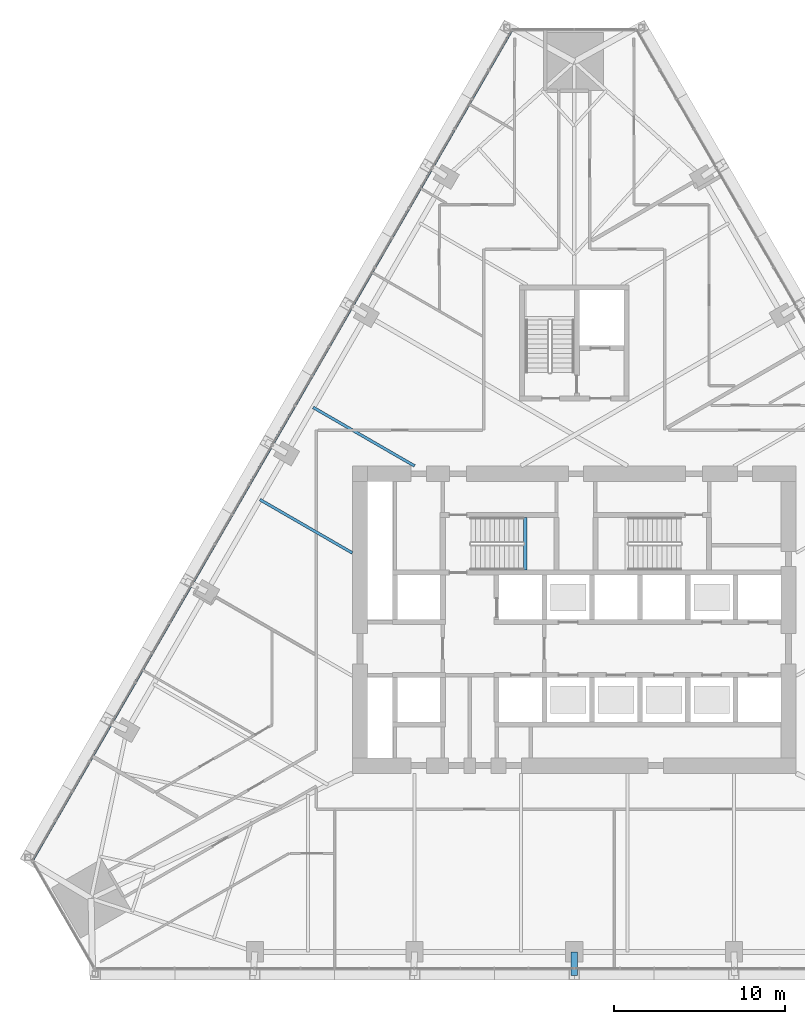
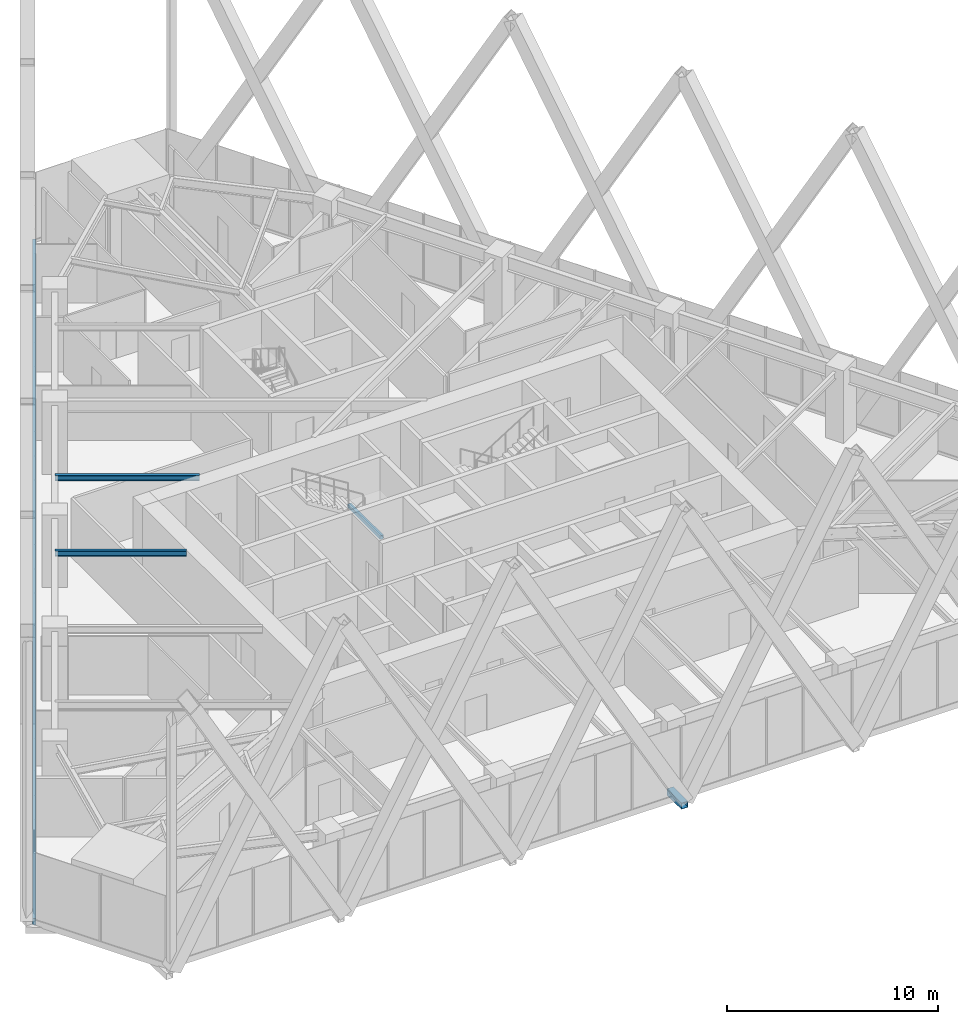
# One storey, part 4 of 21: 3 beams, 2 members, 1 element without a shape of its own.
"""IFC4 building model written with IfcOpenShell, lengths in metres."""

from ifc_helpers import new_model, si_unit, direction, frame, origin, origin_2d, place, context, subcontext, project, spatial, rectangle, hollow_rectangle, i_section, extrude, material, layer, layer_set, material_profile, profile_set, type_object, element, aggregate, save


model = new_model("IFC4")

# Units and contexts
model_context = context("Model", 3, precision=1e-05, world=origin(), true_north=direction((0.0, 1.0)))
body_context = subcontext(model_context, "Body", "Model", "MODEL_VIEW")
ifc_project = project(units=[si_unit("LENGTHUNIT", "METRE"), si_unit("AREAUNIT", "SQUARE_METRE"), si_unit("VOLUMEUNIT", "CUBIC_METRE"), si_unit("PLANEANGLEUNIT", "RADIAN"), si_unit("MASSUNIT", "GRAM", prefix="KILO")], contexts=[model_context])

# Site, building, storey
site_placement = place(None, origin())
site = spatial("IfcSite", under=ifc_project, at=site_placement, CompositionType="ELEMENT")
building_placement = place(site_placement, origin())
building = spatial("IfcBuilding", under=site, at=building_placement, Name="Firuza Gate Tower and Library", CompositionType="ELEMENT")
storey_placement = place(building_placement, frame((0.0, 0.0, 107.199951171875)))
storey = spatial("IfcBuildingStorey", under=building, at=storey_placement, Name="L24", CompositionType="ELEMENT", Elevation=107.199951171875)

# Curtain wall, member
ifc_material_1 = material(Name="Aluminium 6063-T6", Category="aluminium")
ifc_layer = layer(ifc_material_1, 0.14990234375)
ifc_layer_set = layer_set([ifc_layer], Name="Unitised curtain wall, offices")
curtain_wall_type = type_object("IfcCurtainWallType", Name="Unitised curtain wall, offices", PredefinedType="NOTDEFINED", material=ifc_layer_set)
curtain_wall_placement = place(storey_placement, origin())
curtain_wall = element("IfcCurtainWall", 1, at=curtain_wall_placement, inside=storey, type_object=curtain_wall_type, Name="CW1 L24 W face", PredefinedType="NOTDEFINED")
ifc_material_2 = material(Name="Aluminium 6063-T6", Category="aluminium")
ifc_material_profile_1 = material_profile(ifc_material_2, rectangle(XDim=0.14990234375, YDim=0.35009765625, at=origin_2d()))
ifc_profile_set_1 = profile_set([ifc_material_profile_1], Name="Aluminium 6063-T6")
member_type_1 = type_object("IfcMemberType", Name="Curtain wall transom 350x150", PredefinedType="USERDEFINED", material=ifc_profile_set_1)
member_1_placement = place(storey_placement, frame((71.356689453125, 109.557373046875, -0.02490234375), z_axis=(-0.500000287872, -0.866025237581, 0.0), x_axis=(0.866025237581, -0.500000287872, 0.0)))
member_1 = element("IfcMember", 2, at=member_1_placement, type_object=member_type_1, Name="Transom", ObjectType="TRANSOM", PredefinedType="USERDEFINED", context=body_context, shape_type="SweptSolid", body=[
    extrude(rectangle(XDim=0.14990234375, YDim=0.35009765625, at=origin_2d()), origin(), (0.0, 0.0, 1.0), 56.2119140625),
])
aggregate(curtain_wall, [member_1])

# Member
ifc_material_3 = material(Name="Steel S355", Category="steel")
ifc_material_profile_2 = material_profile(ifc_material_3, hollow_rectangle(XDim=0.355712890625, YDim=0.355712890625, WallThickness=0.014892578125, at=origin_2d()))
ifc_profile_set_2 = profile_set([ifc_material_profile_2], Name="Steel S355")
member_type_2 = type_object("IfcMemberType", Name="HSS356x356x16 Lattice node tie", PredefinedType="BRACE", material=ifc_profile_set_2)
member_2_placement = place(storey_placement, frame((75.0, 55.541015625, -0.320068359375), z_axis=(0.0, -1.0, 0.0), x_axis=(1.0, 0.0, 0.0)))
element("IfcMember", 3, at=member_2_placement, inside=storey, type_object=member_type_2, Name="Lattice node tie S L24 95", PredefinedType="BRACE", context=body_context, shape_type="SweptSolid", body=[
    extrude(hollow_rectangle(XDim=0.355712890625, YDim=0.355712890625, WallThickness=0.014892578125, at=origin_2d()), origin(), (0.0, 0.0, 1.0), 1.385009765625),
])

# Beams
ifc_material_4 = material(Name="Concrete C35/45", Category="concrete")
ifc_material_profile_3 = material_profile(ifc_material_4, rectangle(XDim=0.199951171875, YDim=0.199951171875, at=origin_2d()))
ifc_profile_set_3 = profile_set([ifc_material_profile_3], Name="Concrete C35/45")
beam_type_1 = type_object("IfcBeamType", Name="Stair landing bearer 200x200", PredefinedType="BEAM", material=ifc_profile_set_3)
beam_1_placement = place(storey_placement, frame((72.1201171875, 77.89990234375, 1.800048828125), z_axis=(0.0, 1.0, 0.0), x_axis=(-1.0, 0.0, 0.0)))
element("IfcBeam", 4, at=beam_1_placement, inside=storey, type_object=beam_type_1, Name="Landing bearer L24 stair 1", PredefinedType="BEAM", context=body_context, shape_type="SweptSolid", body=[
    extrude(rectangle(XDim=0.199951171875, YDim=0.199951171875, at=origin_2d()), origin(), (0.0, 0.0, 1.0), 3.080078125),
])
ifc_material_5 = material(Name="Steel S355", Category="steel")
ifc_material_profile_4 = material_profile(ifc_material_5, i_section(OverallWidth=0.1650390625, OverallDepth=0.31005859375, WebThickness=0.005859375, FlangeThickness=0.009765625, at=origin_2d()))
ifc_profile_set_4 = profile_set([ifc_material_profile_4], Name="Steel S355")
beam_type_2 = type_object("IfcBeamType", Name="W310x39 Floor beam", PredefinedType="JOIST", material=ifc_profile_set_4)
beam_2_placement = place(storey_placement, frame((59.70703125, 87.4296875, 3.844970703125), z_axis=(0.866035638285, -0.499982272906, 0.0), x_axis=(0.499982272906, 0.866035638285, 0.0)))
element("IfcBeam", 5, at=beam_2_placement, inside=storey, type_object=beam_type_2, Name="Floor beam L24 s82", PredefinedType="JOIST", context=body_context, shape_type="SweptSolid", body=[
    extrude(i_section(OverallWidth=0.1650390625, OverallDepth=0.31005859375, WebThickness=0.005859375, FlangeThickness=0.009765625, at=origin_2d()), origin(), (0.0, 0.0, 1.0), 6.859619140625),
])
beam_3_placement = place(storey_placement, frame((56.589111328125, 82.029052734375, 3.844970703125), z_axis=(0.866022256913, -0.500005450501, 0.0), x_axis=(0.500005450501, 0.866022256913, 0.0)))
element("IfcBeam", 6, at=beam_3_placement, inside=storey, type_object=beam_type_2, Name="Floor beam L24 s83", PredefinedType="JOIST", context=body_context, shape_type="SweptSolid", body=[
    extrude(i_section(OverallWidth=0.1650390625, OverallDepth=0.31005859375, WebThickness=0.005859375, FlangeThickness=0.009765625, at=origin_2d()), origin(), (0.0, 0.0, 1.0), 6.248046875),
])

save(model, "model.ifc")
